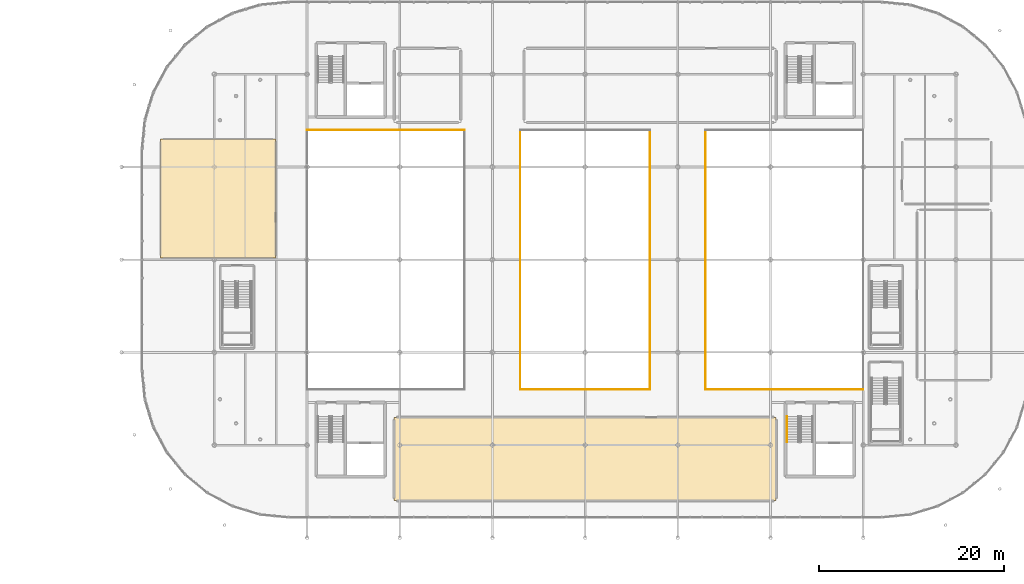
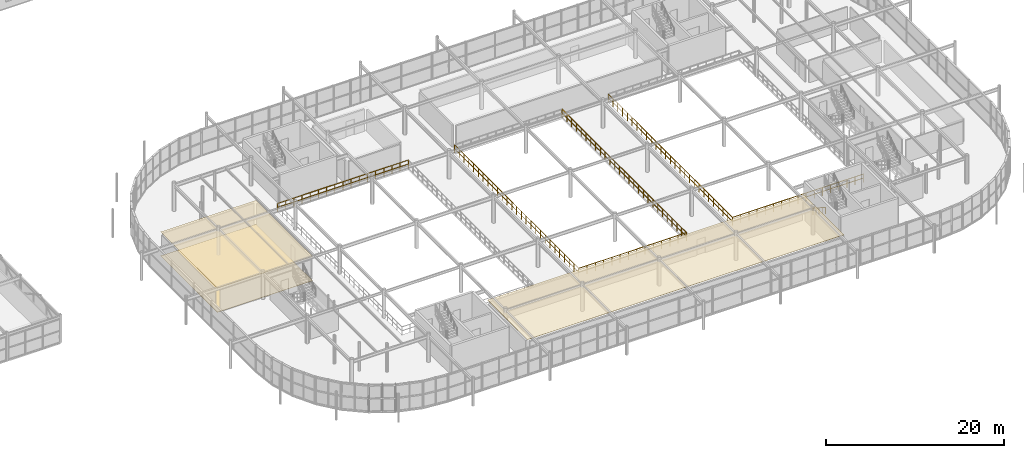
# One storey, part 90 of 98: 7 railings, 3 coverings.
"""IFC4 building model written with IfcOpenShell, lengths in metres."""

import ifcopenshell
import ifcopenshell.guid

model = None  # the IFC model being written
_history = None  # IfcOwnerHistory: only IFC2X3 demands one
_inside = {}  # id of a spatial element -> (the spatial element, [elements in it])
_under = {}  # id of a project, library or spatial element -> (it, [spatial elements below it])
_declared = {}  # id of a project -> (the project, [libraries it declares])
_typed = {}  # id of a type object -> (the type object, [elements of that type])
_made_of = {}  # id of a material, layer set ... -> (it, [elements and type objects made of it])


def new_model(schema):
    """Start an empty IFC model of exactly this schema.

    Asked for "IFC4X3", IfcOpenShell would pick the latest addendum, in which some entities
    have other attributes; the version numbers below select the first issue.
    IFC2X3 requires an IfcOwnerHistory on every rooted entity: one is made here for all.
    """
    global model, _history
    if schema == "IFC4X3":
        model = ifcopenshell.file(schema_version=(4, 3, 0, 0))
    else:
        model = ifcopenshell.file(schema=schema)
    _inside.clear()
    _under.clear()
    _declared.clear()
    _typed.clear()
    _made_of.clear()
    _history = None
    if model.schema == "IFC2X3":
        org = make("IfcOrganization", Name="unknown")
        user = make(
            "IfcPersonAndOrganization",
            ThePerson=make("IfcPerson", FamilyName="unknown"),
            TheOrganization=org,
        )
        app = make(
            "IfcApplication",
            ApplicationDeveloper=org,
            Version="unknown",
            ApplicationFullName="unknown",
            ApplicationIdentifier="unknown",
        )
        _history = make(
            "IfcOwnerHistory",
            OwningUser=user,
            OwningApplication=app,
            ChangeAction="ADDED",
            CreationDate=0,
        )
    return model


def make(cls, **values):
    """One entity of the class cls with the attributes given. An attribute that is None is left unset."""
    return model.create_entity(
        cls, **{name: value for name, value in values.items() if value is not None}
    )


def rooted(cls, **values):
    """An entity with a GlobalId (a new one), such as an element, a storey or a relation."""
    return make(cls, GlobalId=ifcopenshell.guid.new(), OwnerHistory=_history, **values)


def si_unit(unit_type, name, prefix=None):
    """IfcSIUnit, for example si_unit("LENGTHUNIT", "METRE", prefix="MILLI")."""
    return make("IfcSIUnit", UnitType=unit_type, Prefix=prefix, Name=name)


def derived_unit(unit_type, elements):
    """IfcDerivedUnit: a product of units, each with its exponent."""
    return make(
        "IfcDerivedUnit",
        Elements=[
            make("IfcDerivedUnitElement", Unit=unit, Exponent=power)
            for unit, power in elements
        ],
        UnitType=unit_type,
    )


def assignment(units):
    """IfcUnitAssignment: the units of a project."""
    return None if units is None else make("IfcUnitAssignment", Units=units)


def point(xyz):
    """IfcCartesianPoint."""
    return None if xyz is None else make("IfcCartesianPoint", Coordinates=xyz)


def direction(xyz):
    """IfcDirection."""
    return None if xyz is None else make("IfcDirection", DirectionRatios=xyz)


def frame(location, z_axis=None, x_axis=None):
    """IfcAxis2Placement3D, a coordinate frame: its origin and axes. An axis left out is left unset."""
    return make(
        "IfcAxis2Placement3D",
        Location=point(location),
        Axis=direction(z_axis),
        RefDirection=direction(x_axis),
    )


def frame_2d(location, x_axis=None):
    """IfcAxis2Placement2D, a coordinate frame in the plane: its origin and x axis."""
    return make(
        "IfcAxis2Placement2D", Location=point(location), RefDirection=direction(x_axis)
    )


def origin():
    """The frame at (0, 0, 0) with its axes left unset."""
    return frame((0.0, 0.0, 0.0))


def origin_2d_with_axis():
    """The frame at (0, 0) in the plane with the x axis (1, 0) written out."""
    return frame_2d((0.0, 0.0), x_axis=(1.0, 0.0))


def place(relative_to, where):
    """IfcLocalPlacement: puts the frame where relative to a parent placement (None: the world)."""
    return make(
        "IfcLocalPlacement", PlacementRelTo=relative_to, RelativePlacement=where
    )


def context(
    kind, dimensions, precision=None, world=None, true_north=None, identifier=None
):
    """IfcGeometricRepresentationContext, for example the 3D "Model" context."""
    return make(
        "IfcGeometricRepresentationContext",
        ContextIdentifier=identifier,
        ContextType=kind,
        CoordinateSpaceDimension=dimensions,
        Precision=precision,
        WorldCoordinateSystem=world,
        TrueNorth=true_north,
    )


def subcontext(parent, identifier, kind, view, scale=None):
    """IfcGeometricRepresentationSubContext, for example "Body" below "Model"."""
    return make(
        "IfcGeometricRepresentationSubContext",
        ContextIdentifier=identifier,
        ContextType=kind,
        ParentContext=parent,
        TargetScale=scale,
        TargetView=view,
    )


def project(units=None, contexts=None):
    """IfcProject with its units and contexts."""
    return rooted(
        "IfcProject",
        Name="project",
        RepresentationContexts=contexts,
        UnitsInContext=assignment(units),
    )


def spatial(cls, under=None, at=None, **own):
    """A site, building, storey or space (cls), placed at a placement, below another one or the project."""
    s = rooted(cls, ObjectPlacement=at, **own)
    if under is not None:
        _under.setdefault(under.id(), (under, []))[1].append(s)
    return s


def polyline(points):
    """IfcPolyline through the points."""
    return make("IfcPolyline", Points=[point(p) for p in points])


def profile(cls, at=None, kind="AREA", **sizes):
    """A parametric profile (cls). Its sizes go by their IFC names, for example OverallWidth=200.0."""
    return make(cls, ProfileType=kind, Position=at, **sizes)


def circle(**sizes):
    """IfcCircleProfileDef."""
    return profile("IfcCircleProfileDef", **sizes)


def outline(outer, holes=None, kind="AREA"):
    """IfcArbitraryClosedProfileDef: a profile drawn as a closed curve; with holes, ...WithVoids."""
    if holes is None:
        return make("IfcArbitraryClosedProfileDef", ProfileType=kind, OuterCurve=outer)
    return make(
        "IfcArbitraryProfileDefWithVoids",
        ProfileType=kind,
        OuterCurve=outer,
        InnerCurves=holes,
    )


def extrude(swept, where, along, depth):
    """IfcExtrudedAreaSolid: the profile swept, set in the frame where, extruded along a direction by depth."""
    return make(
        "IfcExtrudedAreaSolid",
        SweptArea=swept,
        Position=where,
        ExtrudedDirection=direction(along),
        Depth=depth,
    )


def shape(context_of_items, identifier, shape_type, items):
    """IfcShapeRepresentation: the items that make up one representation, for example the "Body"."""
    return make(
        "IfcShapeRepresentation",
        ContextOfItems=context_of_items,
        RepresentationIdentifier=identifier,
        RepresentationType=shape_type,
        Items=items,
    )


def material(Name=None, Category=None):
    """IfcMaterial."""
    return make("IfcMaterial", Name=Name, Category=Category)


def layer(
    of_material, thickness, ventilated=None, Name=None, Category=None, Priority=None
):
    """IfcMaterialLayer: one layer of a wall or slab, of a material (None: an air gap)."""
    return make(
        "IfcMaterialLayer",
        Material=of_material,
        LayerThickness=thickness,
        IsVentilated=ventilated,
        Name=Name,
        Category=Category,
        Priority=Priority,
    )


def layer_set(layers, Name=None):
    """IfcMaterialLayerSet."""
    return make("IfcMaterialLayerSet", MaterialLayers=layers, LayerSetName=Name)


def made_of(thing, what):
    """Note that an element or type object is made of a material, layer set ...; save() writes the relation."""
    if what is not None:
        _made_of.setdefault(what.id(), (what, []))[1].append(thing)
    return thing


def type_object(cls, material=None, **own):
    """A type object (cls), such as IfcWallType, which elements share."""
    return made_of(rooted(cls, **own), material)


def element(
    cls,
    number,
    at=None,
    inside=None,
    cuts=None,
    type_object=None,
    material=None,
    context=None,
    identifier="Body",
    shape_type=None,
    held_by="IfcProductDefinitionShape",
    body=None,
    shapes=None,
    **own,
):
    """One element of the class cls, such as IfcWall. Its Tag is "e" and its number.

    at: its placement. inside: the storey or other place that contains it. cuts: it is an
    opening in that element (IfcRelVoidsElement). A single representation is given by context,
    identifier, shape_type and body (its items); several are given by shapes. held_by: the class
    of the entity that holds the representations. save() writes the other relations.
    """
    e = rooted(cls, Tag="e%d" % number, ObjectPlacement=at, **own)
    if body is not None:
        shapes = [shape(context, identifier, shape_type, body)]
    if shapes is not None:
        e.Representation = make(held_by, Representations=shapes)
    if inside is not None:
        _inside.setdefault(inside.id(), (inside, []))[1].append(e)
    if cuts is not None:
        rooted(
            "IfcRelVoidsElement", RelatingBuildingElement=cuts, RelatedOpeningElement=e
        )
    if type_object is not None:
        _typed.setdefault(type_object.id(), (type_object, []))[1].append(e)
    return made_of(e, material)


def aggregate(whole, parts):
    """IfcRelAggregates: a whole, such as a stair, and the parts it consists of."""
    return rooted("IfcRelAggregates", RelatingObject=whole, RelatedObjects=parts)


def save(model, path):
    """Write the relations noted so far, then the file.

    IfcRelAggregates (storeys below a building ...), IfcRelContainedInSpatialStructure (elements
    in a storey), IfcRelDefinesByType, IfcRelAssociatesMaterial and IfcRelDeclares: one each for
    every whole, place, type object, material and project.
    """
    for whole, parts in _under.values():
        aggregate(whole, parts)
    for where, things in _inside.values():
        rooted(
            "IfcRelContainedInSpatialStructure",
            RelatedElements=things,
            RelatingStructure=where,
        )
    for kind, things in _typed.values():
        rooted("IfcRelDefinesByType", RelatedObjects=things, RelatingType=kind)
    for what, things in _made_of.values():
        rooted("IfcRelAssociatesMaterial", RelatedObjects=things, RelatingMaterial=what)
    for by, libraries in _declared.values():
        rooted("IfcRelDeclares", RelatingContext=by, RelatedDefinitions=libraries)
    model.write(path)


model = new_model("IFC4")

# Units and contexts
model_context = context("Model", 3, precision=1e-05, world=origin(), true_north=direction((0.0, 1.0)))
body_context = subcontext(model_context, "Body", "Model", "MODEL_VIEW")
ifc_project = project(units=[si_unit("LENGTHUNIT", "METRE"), si_unit("AREAUNIT", "SQUARE_METRE"), si_unit("VOLUMEUNIT", "CUBIC_METRE"), si_unit("PLANEANGLEUNIT", "RADIAN"), si_unit("MASSUNIT", "GRAM", prefix="KILO"), derived_unit("THERMALTRANSMITTANCEUNIT", [(si_unit("POWERUNIT", "WATT"), 1), (si_unit("LENGTHUNIT", "METRE"), -2), (si_unit("THERMODYNAMICTEMPERATUREUNIT", "KELVIN"), -1)])], contexts=[model_context])

# Site, building, storey
site_placement = place(None, origin())
site = spatial("IfcSite", under=ifc_project, at=site_placement, CompositionType="ELEMENT")
building_placement = place(site_placement, origin())
building = spatial("IfcBuilding", under=site, at=building_placement, Name="Cinnabar Yard Market Hall", CompositionType="ELEMENT")
storey_placement = place(building_placement, frame((0.0, 0.0, 4.5)))
storey = spatial("IfcBuildingStorey", under=building, at=storey_placement, Name="L01", CompositionType="ELEMENT", Elevation=4.5)

# Coverings
ifc_material_1 = material(Name="Perforated acoustic spotted-gum timber slats", Category="wood")
ifc_layer_1 = layer(ifc_material_1, 0.0400390625)
ifc_layer_set_1 = layer_set([ifc_layer_1], Name="Perforated acoustic spotted-gum timber slats")
covering_type_1 = type_object("IfcCoveringType", Name="COV-CLG1", PredefinedType="CEILING", material=ifc_layer_set_1)
covering_1_placement = place(storey_placement, frame((0.0, 0.0, 3.2900390625)))
element("IfcCovering", 1, at=covering_1_placement, inside=storey, type_object=covering_type_1, Name="Ceiling South Mezzanine Spice and Tea Stall Gallery", PredefinedType="CEILING", context=body_context, shape_type="SweptSolid", body=[
    extrude(outline(polyline([(95.39990234375, 18.0), (136.60009765625, 18.0), (136.60009765625, 27.0), (95.39990234375, 27.0), (95.39990234375, 18.0)])), origin(), (0.0, 0.0, 1.0), 0.034912109375),
])
covering_2_placement = place(storey_placement, frame((0.0, 0.0, 3.2900390625)))
element("IfcCovering", 2, at=covering_2_placement, inside=storey, type_object=covering_type_1, Name="Ceiling West Gallery Courtyard Restaurant", PredefinedType="CEILING", context=body_context, shape_type="SweptSolid", body=[
    extrude(outline(polyline([(70.199951171875, 44.199951171875), (82.60009765625, 44.199951171875), (82.60009765625, 57.0), (70.199951171875, 57.0), (70.199951171875, 44.199951171875)])), origin(), (0.0, 0.0, 1.0), 0.034912109375),
])
ifc_material_2 = material(Name="Honed Adelaide red terrazzo flooring")
ifc_layer_2 = layer(ifc_material_2, 0.030029296875)
ifc_layer_set_2 = layer_set([ifc_layer_2], Name="Honed Adelaide red terrazzo flooring")
covering_type_2 = type_object("IfcCoveringType", Name="COV-FLR1", PredefinedType="FLOORING", material=ifc_layer_set_2)
covering_3_placement = place(storey_placement, origin())
element("IfcCovering", 3, at=covering_3_placement, inside=storey, type_object=covering_type_2, Name="Flooring West Gallery Courtyard Restaurant", PredefinedType="FLOORING", context=body_context, shape_type="SweptSolid", body=[
    extrude(outline(polyline([(70.199951171875, 44.199951171875), (82.60009765625, 44.199951171875), (82.60009765625, 57.0), (70.199951171875, 57.0), (70.199951171875, 44.199951171875)])), origin(), (0.0, 0.0, 1.0), 0.02490234375),
])

# Railings
ifc_material_3 = material(Name="Laminated glass and bronze handrail", Category="glass")
ifc_layer_3 = layer(ifc_material_3, 0.070068359375)
ifc_layer_set_3 = layer_set([ifc_layer_3], Name="Laminated glass and bronze handrail")
railing_type_1 = type_object("IfcRailingType", Name="RL-G01", PredefinedType="BALUSTRADE", material=ifc_layer_set_3)
railing_1_placement = place(storey_placement, frame((103.0, 58.0, 0.0)))
element("IfcRailing", 4, at=railing_1_placement, inside=storey, type_object=railing_type_1, Name="L01 Mezzanine Void 1 Balustrade 3", PredefinedType="BALUSTRADE", context=body_context, shape_type="SweptSolid", body=[
    extrude(circle(Radius=0.02392578125, at=origin_2d_with_axis()), frame((0.0, 0.0, 1.09619140625), z_axis=(-1.0, 0.0, 0.0), x_axis=(0.0, -1.0, 0.0)), (0.0, 0.0, 1.0), 17.0),
    extrude(circle(Radius=0.02392578125, at=origin_2d_with_axis()), frame((0.0, 0.0, 0.550048828125), z_axis=(-1.0, 0.0, 0.0), x_axis=(0.0, -1.0, 0.0)), (0.0, 0.0, 1.0), 17.0),
    extrude(circle(Radius=0.02099609375, at=origin_2d_with_axis()), origin(), (0.0, 0.0, 1.0), 1.072021484375),
    extrude(circle(Radius=0.02099609375, at=origin_2d_with_axis()), frame((-1.0625, 0.0, 0.0)), (0.0, 0.0, 1.0), 1.072021484375),
    extrude(circle(Radius=0.02099609375, at=origin_2d_with_axis()), frame((-2.125, 0.0, 0.0)), (0.0, 0.0, 1.0), 1.072021484375),
    extrude(circle(Radius=0.02099609375, at=origin_2d_with_axis()), frame((-3.1875, 0.0, 0.0)), (0.0, 0.0, 1.0), 1.072021484375),
    extrude(circle(Radius=0.02099609375, at=origin_2d_with_axis()), frame((-4.25, 0.0, 0.0)), (0.0, 0.0, 1.0), 1.072021484375),
    extrude(circle(Radius=0.02099609375, at=origin_2d_with_axis()), frame((-5.3125, 0.0, 0.0)), (0.0, 0.0, 1.0), 1.072021484375),
    extrude(circle(Radius=0.02099609375, at=origin_2d_with_axis()), frame((-6.375, 0.0, 0.0)), (0.0, 0.0, 1.0), 1.072021484375),
    extrude(circle(Radius=0.02099609375, at=origin_2d_with_axis()), frame((-7.4375, 0.0, 0.0)), (0.0, 0.0, 1.0), 1.072021484375),
    extrude(circle(Radius=0.02099609375, at=origin_2d_with_axis()), frame((-8.5, 0.0, 0.0)), (0.0, 0.0, 1.0), 1.072021484375),
    extrude(circle(Radius=0.02099609375, at=origin_2d_with_axis()), frame((-9.5625, 0.0, 0.0)), (0.0, 0.0, 1.0), 1.072021484375),
    extrude(circle(Radius=0.02099609375, at=origin_2d_with_axis()), frame((-10.625, 0.0, 0.0)), (0.0, 0.0, 1.0), 1.072021484375),
    extrude(circle(Radius=0.02099609375, at=origin_2d_with_axis()), frame((-11.6875, 0.0, 0.0)), (0.0, 0.0, 1.0), 1.072021484375),
    extrude(circle(Radius=0.02099609375, at=origin_2d_with_axis()), frame((-12.75, 0.0, 0.0)), (0.0, 0.0, 1.0), 1.072021484375),
    extrude(circle(Radius=0.02099609375, at=origin_2d_with_axis()), frame((-13.8125, 0.0, 0.0)), (0.0, 0.0, 1.0), 1.072021484375),
    extrude(circle(Radius=0.02099609375, at=origin_2d_with_axis()), frame((-14.875, 0.0, 0.0)), (0.0, 0.0, 1.0), 1.072021484375),
    extrude(circle(Radius=0.02099609375, at=origin_2d_with_axis()), frame((-15.9375, 0.0, 0.0)), (0.0, 0.0, 1.0), 1.072021484375),
    extrude(circle(Radius=0.02099609375, at=origin_2d_with_axis()), frame((-17.0, 0.0, 0.0)), (0.0, 0.0, 1.0), 1.072021484375),
])
railing_2_placement = place(storey_placement, frame((109.0, 30.0, 0.0)))
element("IfcRailing", 5, at=railing_2_placement, inside=storey, type_object=railing_type_1, Name="L01 Mezzanine Void 2 Balustrade 1", PredefinedType="BALUSTRADE", context=body_context, shape_type="SweptSolid", body=[
    extrude(circle(Radius=0.02392578125, at=origin_2d_with_axis()), frame((0.0, 0.0, 1.09619140625), z_axis=(1.0, 0.0, 0.0), x_axis=(0.0, 1.0, 0.0)), (0.0, 0.0, 1.0), 14.0),
    extrude(circle(Radius=0.02392578125, at=origin_2d_with_axis()), frame((0.0, 0.0, 0.550048828125), z_axis=(1.0, 0.0, 0.0), x_axis=(0.0, 1.0, 0.0)), (0.0, 0.0, 1.0), 14.0),
    extrude(circle(Radius=0.02099609375, at=origin_2d_with_axis()), origin(), (0.0, 0.0, 1.0), 1.072021484375),
    extrude(circle(Radius=0.02099609375, at=origin_2d_with_axis()), frame((1.076904296875, 0.0, 0.0)), (0.0, 0.0, 1.0), 1.072021484375),
    extrude(circle(Radius=0.02099609375, at=origin_2d_with_axis()), frame((2.15380859375, 0.0, 0.0)), (0.0, 0.0, 1.0), 1.072021484375),
    extrude(circle(Radius=0.02099609375, at=origin_2d_with_axis()), frame((3.230712890625, 0.0, 0.0)), (0.0, 0.0, 1.0), 1.072021484375),
    extrude(circle(Radius=0.02099609375, at=origin_2d_with_axis()), frame((4.3076171875, 0.0, 0.0)), (0.0, 0.0, 1.0), 1.072021484375),
    extrude(circle(Radius=0.02099609375, at=origin_2d_with_axis()), frame((5.384521484375, 0.0, 0.0)), (0.0, 0.0, 1.0), 1.072021484375),
    extrude(circle(Radius=0.02099609375, at=origin_2d_with_axis()), frame((6.46142578125, 0.0, 0.0)), (0.0, 0.0, 1.0), 1.072021484375),
    extrude(circle(Radius=0.02099609375, at=origin_2d_with_axis()), frame((7.53857421875, 0.0, 0.0)), (0.0, 0.0, 1.0), 1.072021484375),
    extrude(circle(Radius=0.02099609375, at=origin_2d_with_axis()), frame((8.615478515625, 0.0, 0.0)), (0.0, 0.0, 1.0), 1.072021484375),
    extrude(circle(Radius=0.02099609375, at=origin_2d_with_axis()), frame((9.6923828125, 0.0, 0.0)), (0.0, 0.0, 1.0), 1.072021484375),
    extrude(circle(Radius=0.02099609375, at=origin_2d_with_axis()), frame((10.769287109375, 0.0, 0.0)), (0.0, 0.0, 1.0), 1.072021484375),
    extrude(circle(Radius=0.02099609375, at=origin_2d_with_axis()), frame((11.84619140625, 0.0, 0.0)), (0.0, 0.0, 1.0), 1.072021484375),
    extrude(circle(Radius=0.02099609375, at=origin_2d_with_axis()), frame((12.923095703125, 0.0, 0.0)), (0.0, 0.0, 1.0), 1.072021484375),
    extrude(circle(Radius=0.02099609375, at=origin_2d_with_axis()), frame((14.0, 0.0, 0.0)), (0.0, 0.0, 1.0), 1.072021484375),
])
railing_3_placement = place(storey_placement, frame((123.0, 30.0, 0.0)))
element("IfcRailing", 6, at=railing_3_placement, inside=storey, type_object=railing_type_1, Name="L01 Mezzanine Void 2 Balustrade 2", PredefinedType="BALUSTRADE", context=body_context, shape_type="SweptSolid", body=[
    extrude(circle(Radius=0.02392578125, at=origin_2d_with_axis()), frame((0.0, 0.0, 1.09619140625), z_axis=(0.0, 1.0, 0.0), x_axis=(-1.0, 0.0, 0.0)), (0.0, 0.0, 1.0), 28.0),
    extrude(circle(Radius=0.02392578125, at=origin_2d_with_axis()), frame((0.0, 0.0, 0.550048828125), z_axis=(0.0, 1.0, 0.0), x_axis=(-1.0, 0.0, 0.0)), (0.0, 0.0, 1.0), 28.0),
    extrude(circle(Radius=0.02099609375, at=origin_2d_with_axis()), origin(), (0.0, 0.0, 1.0), 1.072021484375),
    extrude(circle(Radius=0.02099609375, at=origin_2d_with_axis()), frame((0.0, 1.076904296875, 0.0)), (0.0, 0.0, 1.0), 1.072021484375),
    extrude(circle(Radius=0.02099609375, at=origin_2d_with_axis()), frame((0.0, 2.15380859375, 0.0)), (0.0, 0.0, 1.0), 1.072021484375),
    extrude(circle(Radius=0.02099609375, at=origin_2d_with_axis()), frame((0.0, 3.230712890625, 0.0)), (0.0, 0.0, 1.0), 1.072021484375),
    extrude(circle(Radius=0.02099609375, at=origin_2d_with_axis()), frame((0.0, 4.3076171875, 0.0)), (0.0, 0.0, 1.0), 1.072021484375),
    extrude(circle(Radius=0.02099609375, at=origin_2d_with_axis()), frame((0.0, 5.384521484375, 0.0)), (0.0, 0.0, 1.0), 1.072021484375),
    extrude(circle(Radius=0.02099609375, at=origin_2d_with_axis()), frame((0.0, 6.46142578125, 0.0)), (0.0, 0.0, 1.0), 1.072021484375),
    extrude(circle(Radius=0.02099609375, at=origin_2d_with_axis()), frame((0.0, 7.53857421875, 0.0)), (0.0, 0.0, 1.0), 1.072021484375),
    extrude(circle(Radius=0.02099609375, at=origin_2d_with_axis()), frame((0.0, 8.615478515625, 0.0)), (0.0, 0.0, 1.0), 1.072021484375),
    extrude(circle(Radius=0.02099609375, at=origin_2d_with_axis()), frame((0.0, 9.6923828125, 0.0)), (0.0, 0.0, 1.0), 1.072021484375),
    extrude(circle(Radius=0.02099609375, at=origin_2d_with_axis()), frame((0.0, 10.769287109375, 0.0)), (0.0, 0.0, 1.0), 1.072021484375),
    extrude(circle(Radius=0.02099609375, at=origin_2d_with_axis()), frame((0.0, 11.84619140625, 0.0)), (0.0, 0.0, 1.0), 1.072021484375),
    extrude(circle(Radius=0.02099609375, at=origin_2d_with_axis()), frame((0.0, 12.923095703125, 0.0)), (0.0, 0.0, 1.0), 1.072021484375),
    extrude(circle(Radius=0.02099609375, at=origin_2d_with_axis()), frame((0.0, 14.0, 0.0)), (0.0, 0.0, 1.0), 1.072021484375),
    extrude(circle(Radius=0.02099609375, at=origin_2d_with_axis()), frame((0.0, 15.076904296875, 0.0)), (0.0, 0.0, 1.0), 1.072021484375),
    extrude(circle(Radius=0.02099609375, at=origin_2d_with_axis()), frame((0.0, 16.15380859375, 0.0)), (0.0, 0.0, 1.0), 1.072021484375),
    extrude(circle(Radius=0.02099609375, at=origin_2d_with_axis()), frame((0.0, 17.230712890625, 0.0)), (0.0, 0.0, 1.0), 1.072021484375),
    extrude(circle(Radius=0.02099609375, at=origin_2d_with_axis()), frame((0.0, 18.3076171875, 0.0)), (0.0, 0.0, 1.0), 1.072021484375),
    extrude(circle(Radius=0.02099609375, at=origin_2d_with_axis()), frame((0.0, 19.384521484375, 0.0)), (0.0, 0.0, 1.0), 1.072021484375),
    extrude(circle(Radius=0.02099609375, at=origin_2d_with_axis()), frame((0.0, 20.46142578125, 0.0)), (0.0, 0.0, 1.0), 1.072021484375),
    extrude(circle(Radius=0.02099609375, at=origin_2d_with_axis()), frame((0.0, 21.53857421875, 0.0)), (0.0, 0.0, 1.0), 1.072021484375),
    extrude(circle(Radius=0.02099609375, at=origin_2d_with_axis()), frame((0.0, 22.615478515625, 0.0)), (0.0, 0.0, 1.0), 1.072021484375),
    extrude(circle(Radius=0.02099609375, at=origin_2d_with_axis()), frame((0.0, 23.6923828125, 0.0)), (0.0, 0.0, 1.0), 1.072021484375),
    extrude(circle(Radius=0.02099609375, at=origin_2d_with_axis()), frame((0.0, 24.769287109375, 0.0)), (0.0, 0.0, 1.0), 1.072021484375),
    extrude(circle(Radius=0.02099609375, at=origin_2d_with_axis()), frame((0.0, 25.84619140625, 0.0)), (0.0, 0.0, 1.0), 1.072021484375),
    extrude(circle(Radius=0.02099609375, at=origin_2d_with_axis()), frame((0.0, 26.923095703125, 0.0)), (0.0, 0.0, 1.0), 1.072021484375),
    extrude(circle(Radius=0.02099609375, at=origin_2d_with_axis()), frame((0.0, 28.0, 0.0)), (0.0, 0.0, 1.0), 1.072021484375),
])
railing_4_placement = place(storey_placement, frame((109.0, 58.0, 0.0)))
element("IfcRailing", 7, at=railing_4_placement, inside=storey, type_object=railing_type_1, Name="L01 Mezzanine Void 2 Balustrade 4", PredefinedType="BALUSTRADE", context=body_context, shape_type="SweptSolid", body=[
    extrude(circle(Radius=0.02392578125, at=origin_2d_with_axis()), frame((0.0, 0.0, 1.09619140625), z_axis=(0.0, -1.0, 0.0), x_axis=(1.0, 0.0, 0.0)), (0.0, 0.0, 1.0), 28.0),
    extrude(circle(Radius=0.02392578125, at=origin_2d_with_axis()), frame((0.0, 0.0, 0.550048828125), z_axis=(0.0, -1.0, 0.0), x_axis=(1.0, 0.0, 0.0)), (0.0, 0.0, 1.0), 28.0),
    extrude(circle(Radius=0.02099609375, at=origin_2d_with_axis()), origin(), (0.0, 0.0, 1.0), 1.072021484375),
    extrude(circle(Radius=0.02099609375, at=origin_2d_with_axis()), frame((0.0, -1.076904296875, 0.0)), (0.0, 0.0, 1.0), 1.072021484375),
    extrude(circle(Radius=0.02099609375, at=origin_2d_with_axis()), frame((0.0, -2.15380859375, 0.0)), (0.0, 0.0, 1.0), 1.072021484375),
    extrude(circle(Radius=0.02099609375, at=origin_2d_with_axis()), frame((0.0, -3.230712890625, 0.0)), (0.0, 0.0, 1.0), 1.072021484375),
    extrude(circle(Radius=0.02099609375, at=origin_2d_with_axis()), frame((0.0, -4.3076171875, 0.0)), (0.0, 0.0, 1.0), 1.072021484375),
    extrude(circle(Radius=0.02099609375, at=origin_2d_with_axis()), frame((0.0, -5.384521484375, 0.0)), (0.0, 0.0, 1.0), 1.072021484375),
    extrude(circle(Radius=0.02099609375, at=origin_2d_with_axis()), frame((0.0, -6.46142578125, 0.0)), (0.0, 0.0, 1.0), 1.072021484375),
    extrude(circle(Radius=0.02099609375, at=origin_2d_with_axis()), frame((0.0, -7.53857421875, 0.0)), (0.0, 0.0, 1.0), 1.072021484375),
    extrude(circle(Radius=0.02099609375, at=origin_2d_with_axis()), frame((0.0, -8.615478515625, 0.0)), (0.0, 0.0, 1.0), 1.072021484375),
    extrude(circle(Radius=0.02099609375, at=origin_2d_with_axis()), frame((0.0, -9.6923828125, 0.0)), (0.0, 0.0, 1.0), 1.072021484375),
    extrude(circle(Radius=0.02099609375, at=origin_2d_with_axis()), frame((0.0, -10.769287109375, 0.0)), (0.0, 0.0, 1.0), 1.072021484375),
    extrude(circle(Radius=0.02099609375, at=origin_2d_with_axis()), frame((0.0, -11.84619140625, 0.0)), (0.0, 0.0, 1.0), 1.072021484375),
    extrude(circle(Radius=0.02099609375, at=origin_2d_with_axis()), frame((0.0, -12.923095703125, 0.0)), (0.0, 0.0, 1.0), 1.072021484375),
    extrude(circle(Radius=0.02099609375, at=origin_2d_with_axis()), frame((0.0, -14.0, 0.0)), (0.0, 0.0, 1.0), 1.072021484375),
    extrude(circle(Radius=0.02099609375, at=origin_2d_with_axis()), frame((0.0, -15.076904296875, 0.0)), (0.0, 0.0, 1.0), 1.072021484375),
    extrude(circle(Radius=0.02099609375, at=origin_2d_with_axis()), frame((0.0, -16.15380859375, 0.0)), (0.0, 0.0, 1.0), 1.072021484375),
    extrude(circle(Radius=0.02099609375, at=origin_2d_with_axis()), frame((0.0, -17.230712890625, 0.0)), (0.0, 0.0, 1.0), 1.072021484375),
    extrude(circle(Radius=0.02099609375, at=origin_2d_with_axis()), frame((0.0, -18.3076171875, 0.0)), (0.0, 0.0, 1.0), 1.072021484375),
    extrude(circle(Radius=0.02099609375, at=origin_2d_with_axis()), frame((0.0, -19.384521484375, 0.0)), (0.0, 0.0, 1.0), 1.072021484375),
    extrude(circle(Radius=0.02099609375, at=origin_2d_with_axis()), frame((0.0, -20.46142578125, 0.0)), (0.0, 0.0, 1.0), 1.072021484375),
    extrude(circle(Radius=0.02099609375, at=origin_2d_with_axis()), frame((0.0, -21.53857421875, 0.0)), (0.0, 0.0, 1.0), 1.072021484375),
    extrude(circle(Radius=0.02099609375, at=origin_2d_with_axis()), frame((0.0, -22.615478515625, 0.0)), (0.0, 0.0, 1.0), 1.072021484375),
    extrude(circle(Radius=0.02099609375, at=origin_2d_with_axis()), frame((0.0, -23.6923828125, 0.0)), (0.0, 0.0, 1.0), 1.072021484375),
    extrude(circle(Radius=0.02099609375, at=origin_2d_with_axis()), frame((0.0, -24.769287109375, 0.0)), (0.0, 0.0, 1.0), 1.072021484375),
    extrude(circle(Radius=0.02099609375, at=origin_2d_with_axis()), frame((0.0, -25.84619140625, 0.0)), (0.0, 0.0, 1.0), 1.072021484375),
    extrude(circle(Radius=0.02099609375, at=origin_2d_with_axis()), frame((0.0, -26.923095703125, 0.0)), (0.0, 0.0, 1.0), 1.072021484375),
    extrude(circle(Radius=0.02099609375, at=origin_2d_with_axis()), frame((0.0, -28.0, 0.0)), (0.0, 0.0, 1.0), 1.072021484375),
])
railing_5_placement = place(storey_placement, frame((129.0, 30.0, 0.0)))
element("IfcRailing", 8, at=railing_5_placement, inside=storey, type_object=railing_type_1, Name="L01 Mezzanine Void 3 Balustrade 1", PredefinedType="BALUSTRADE", context=body_context, shape_type="SweptSolid", body=[
    extrude(circle(Radius=0.02392578125, at=origin_2d_with_axis()), frame((0.0, 0.0, 1.09619140625), z_axis=(1.0, 0.0, 0.0), x_axis=(0.0, 1.0, 0.0)), (0.0, 0.0, 1.0), 17.0),
    extrude(circle(Radius=0.02392578125, at=origin_2d_with_axis()), frame((0.0, 0.0, 0.550048828125), z_axis=(1.0, 0.0, 0.0), x_axis=(0.0, 1.0, 0.0)), (0.0, 0.0, 1.0), 17.0),
    extrude(circle(Radius=0.02099609375, at=origin_2d_with_axis()), origin(), (0.0, 0.0, 1.0), 1.072021484375),
    extrude(circle(Radius=0.02099609375, at=origin_2d_with_axis()), frame((1.0625, 0.0, 0.0)), (0.0, 0.0, 1.0), 1.072021484375),
    extrude(circle(Radius=0.02099609375, at=origin_2d_with_axis()), frame((2.125, 0.0, 0.0)), (0.0, 0.0, 1.0), 1.072021484375),
    extrude(circle(Radius=0.02099609375, at=origin_2d_with_axis()), frame((3.1875, 0.0, 0.0)), (0.0, 0.0, 1.0), 1.072021484375),
    extrude(circle(Radius=0.02099609375, at=origin_2d_with_axis()), frame((4.25, 0.0, 0.0)), (0.0, 0.0, 1.0), 1.072021484375),
    extrude(circle(Radius=0.02099609375, at=origin_2d_with_axis()), frame((5.3125, 0.0, 0.0)), (0.0, 0.0, 1.0), 1.072021484375),
    extrude(circle(Radius=0.02099609375, at=origin_2d_with_axis()), frame((6.375, 0.0, 0.0)), (0.0, 0.0, 1.0), 1.072021484375),
    extrude(circle(Radius=0.02099609375, at=origin_2d_with_axis()), frame((7.4375, 0.0, 0.0)), (0.0, 0.0, 1.0), 1.072021484375),
    extrude(circle(Radius=0.02099609375, at=origin_2d_with_axis()), frame((8.5, 0.0, 0.0)), (0.0, 0.0, 1.0), 1.072021484375),
    extrude(circle(Radius=0.02099609375, at=origin_2d_with_axis()), frame((9.5625, 0.0, 0.0)), (0.0, 0.0, 1.0), 1.072021484375),
    extrude(circle(Radius=0.02099609375, at=origin_2d_with_axis()), frame((10.625, 0.0, 0.0)), (0.0, 0.0, 1.0), 1.072021484375),
    extrude(circle(Radius=0.02099609375, at=origin_2d_with_axis()), frame((11.6875, 0.0, 0.0)), (0.0, 0.0, 1.0), 1.072021484375),
    extrude(circle(Radius=0.02099609375, at=origin_2d_with_axis()), frame((12.75, 0.0, 0.0)), (0.0, 0.0, 1.0), 1.072021484375),
    extrude(circle(Radius=0.02099609375, at=origin_2d_with_axis()), frame((13.8125, 0.0, 0.0)), (0.0, 0.0, 1.0), 1.072021484375),
    extrude(circle(Radius=0.02099609375, at=origin_2d_with_axis()), frame((14.875, 0.0, 0.0)), (0.0, 0.0, 1.0), 1.072021484375),
    extrude(circle(Radius=0.02099609375, at=origin_2d_with_axis()), frame((15.9375, 0.0, 0.0)), (0.0, 0.0, 1.0), 1.072021484375),
    extrude(circle(Radius=0.02099609375, at=origin_2d_with_axis()), frame((17.0, 0.0, 0.0)), (0.0, 0.0, 1.0), 1.072021484375),
])
railing_6_placement = place(storey_placement, frame((129.0, 58.0, 0.0)))
element("IfcRailing", 9, at=railing_6_placement, inside=storey, type_object=railing_type_1, Name="L01 Mezzanine Void 3 Balustrade 4", PredefinedType="BALUSTRADE", context=body_context, shape_type="SweptSolid", body=[
    extrude(circle(Radius=0.02392578125, at=origin_2d_with_axis()), frame((0.0, 0.0, 1.09619140625), z_axis=(0.0, -1.0, 0.0), x_axis=(1.0, 0.0, 0.0)), (0.0, 0.0, 1.0), 28.0),
    extrude(circle(Radius=0.02392578125, at=origin_2d_with_axis()), frame((0.0, 0.0, 0.550048828125), z_axis=(0.0, -1.0, 0.0), x_axis=(1.0, 0.0, 0.0)), (0.0, 0.0, 1.0), 28.0),
    extrude(circle(Radius=0.02099609375, at=origin_2d_with_axis()), origin(), (0.0, 0.0, 1.0), 1.072021484375),
    extrude(circle(Radius=0.02099609375, at=origin_2d_with_axis()), frame((0.0, -1.076904296875, 0.0)), (0.0, 0.0, 1.0), 1.072021484375),
    extrude(circle(Radius=0.02099609375, at=origin_2d_with_axis()), frame((0.0, -2.15380859375, 0.0)), (0.0, 0.0, 1.0), 1.072021484375),
    extrude(circle(Radius=0.02099609375, at=origin_2d_with_axis()), frame((0.0, -3.230712890625, 0.0)), (0.0, 0.0, 1.0), 1.072021484375),
    extrude(circle(Radius=0.02099609375, at=origin_2d_with_axis()), frame((0.0, -4.3076171875, 0.0)), (0.0, 0.0, 1.0), 1.072021484375),
    extrude(circle(Radius=0.02099609375, at=origin_2d_with_axis()), frame((0.0, -5.384521484375, 0.0)), (0.0, 0.0, 1.0), 1.072021484375),
    extrude(circle(Radius=0.02099609375, at=origin_2d_with_axis()), frame((0.0, -6.46142578125, 0.0)), (0.0, 0.0, 1.0), 1.072021484375),
    extrude(circle(Radius=0.02099609375, at=origin_2d_with_axis()), frame((0.0, -7.53857421875, 0.0)), (0.0, 0.0, 1.0), 1.072021484375),
    extrude(circle(Radius=0.02099609375, at=origin_2d_with_axis()), frame((0.0, -8.615478515625, 0.0)), (0.0, 0.0, 1.0), 1.072021484375),
    extrude(circle(Radius=0.02099609375, at=origin_2d_with_axis()), frame((0.0, -9.6923828125, 0.0)), (0.0, 0.0, 1.0), 1.072021484375),
    extrude(circle(Radius=0.02099609375, at=origin_2d_with_axis()), frame((0.0, -10.769287109375, 0.0)), (0.0, 0.0, 1.0), 1.072021484375),
    extrude(circle(Radius=0.02099609375, at=origin_2d_with_axis()), frame((0.0, -11.84619140625, 0.0)), (0.0, 0.0, 1.0), 1.072021484375),
    extrude(circle(Radius=0.02099609375, at=origin_2d_with_axis()), frame((0.0, -12.923095703125, 0.0)), (0.0, 0.0, 1.0), 1.072021484375),
    extrude(circle(Radius=0.02099609375, at=origin_2d_with_axis()), frame((0.0, -14.0, 0.0)), (0.0, 0.0, 1.0), 1.072021484375),
    extrude(circle(Radius=0.02099609375, at=origin_2d_with_axis()), frame((0.0, -15.076904296875, 0.0)), (0.0, 0.0, 1.0), 1.072021484375),
    extrude(circle(Radius=0.02099609375, at=origin_2d_with_axis()), frame((0.0, -16.15380859375, 0.0)), (0.0, 0.0, 1.0), 1.072021484375),
    extrude(circle(Radius=0.02099609375, at=origin_2d_with_axis()), frame((0.0, -17.230712890625, 0.0)), (0.0, 0.0, 1.0), 1.072021484375),
    extrude(circle(Radius=0.02099609375, at=origin_2d_with_axis()), frame((0.0, -18.3076171875, 0.0)), (0.0, 0.0, 1.0), 1.072021484375),
    extrude(circle(Radius=0.02099609375, at=origin_2d_with_axis()), frame((0.0, -19.384521484375, 0.0)), (0.0, 0.0, 1.0), 1.072021484375),
    extrude(circle(Radius=0.02099609375, at=origin_2d_with_axis()), frame((0.0, -20.46142578125, 0.0)), (0.0, 0.0, 1.0), 1.072021484375),
    extrude(circle(Radius=0.02099609375, at=origin_2d_with_axis()), frame((0.0, -21.53857421875, 0.0)), (0.0, 0.0, 1.0), 1.072021484375),
    extrude(circle(Radius=0.02099609375, at=origin_2d_with_axis()), frame((0.0, -22.615478515625, 0.0)), (0.0, 0.0, 1.0), 1.072021484375),
    extrude(circle(Radius=0.02099609375, at=origin_2d_with_axis()), frame((0.0, -23.6923828125, 0.0)), (0.0, 0.0, 1.0), 1.072021484375),
    extrude(circle(Radius=0.02099609375, at=origin_2d_with_axis()), frame((0.0, -24.769287109375, 0.0)), (0.0, 0.0, 1.0), 1.072021484375),
    extrude(circle(Radius=0.02099609375, at=origin_2d_with_axis()), frame((0.0, -25.84619140625, 0.0)), (0.0, 0.0, 1.0), 1.072021484375),
    extrude(circle(Radius=0.02099609375, at=origin_2d_with_axis()), frame((0.0, -26.923095703125, 0.0)), (0.0, 0.0, 1.0), 1.072021484375),
    extrude(circle(Radius=0.02099609375, at=origin_2d_with_axis()), frame((0.0, -28.0, 0.0)), (0.0, 0.0, 1.0), 1.072021484375),
])
ifc_material_4 = material(Name="Brushed stainless steel handrail", Category="steel")
ifc_layer_4 = layer(ifc_material_4, 0.050048828125)
ifc_layer_set_4 = layer_set([ifc_layer_4], Name="Brushed stainless steel handrail")
railing_type_2 = type_object("IfcRailingType", Name="RL-HR1", PredefinedType="HANDRAIL", material=ifc_layer_set_4)
railing_7_placement = place(storey_placement, frame((137.7900390625, 27.110107421875, 0.17724609375)))
element("IfcRailing", 10, at=railing_7_placement, inside=storey, type_object=railing_type_2, Name="L01 ST-C2 stair handrail 1", PredefinedType="HANDRAIL", context=body_context, shape_type="SweptSolid", body=[
    extrude(circle(Radius=0.02392578125, at=origin_2d_with_axis()), frame((0.0, 0.0, 0.8759765625), z_axis=(0.0, -0.844908973607, 0.534910110503), x_axis=(1.0, 0.0, 0.0)), (0.0, 0.0, 1.0), 3.31396484375),
    extrude(circle(Radius=0.02099609375, at=origin_2d_with_axis()), origin(), (0.0, 0.0, 1.0), 0.851806640625),
    extrude(circle(Radius=0.02099609375, at=origin_2d_with_axis()), frame((0.0, -0.699951171875, 0.443115234375)), (0.0, 0.0, 1.0), 0.851806640625),
    extrude(circle(Radius=0.02099609375, at=origin_2d_with_axis()), frame((0.0, -1.39990234375, 0.88623046875)), (0.0, 0.0, 1.0), 0.851806640625),
    extrude(circle(Radius=0.02099609375, at=origin_2d_with_axis()), frame((0.0, -2.10009765625, 1.32958984375)), (0.0, 0.0, 1.0), 0.851806640625),
    extrude(circle(Radius=0.02099609375, at=origin_2d_with_axis()), frame((0.0, -2.800048828125, 1.772705078125)), (0.0, 0.0, 1.0), 0.851806640625),
])

save(model, "model.ifc")
